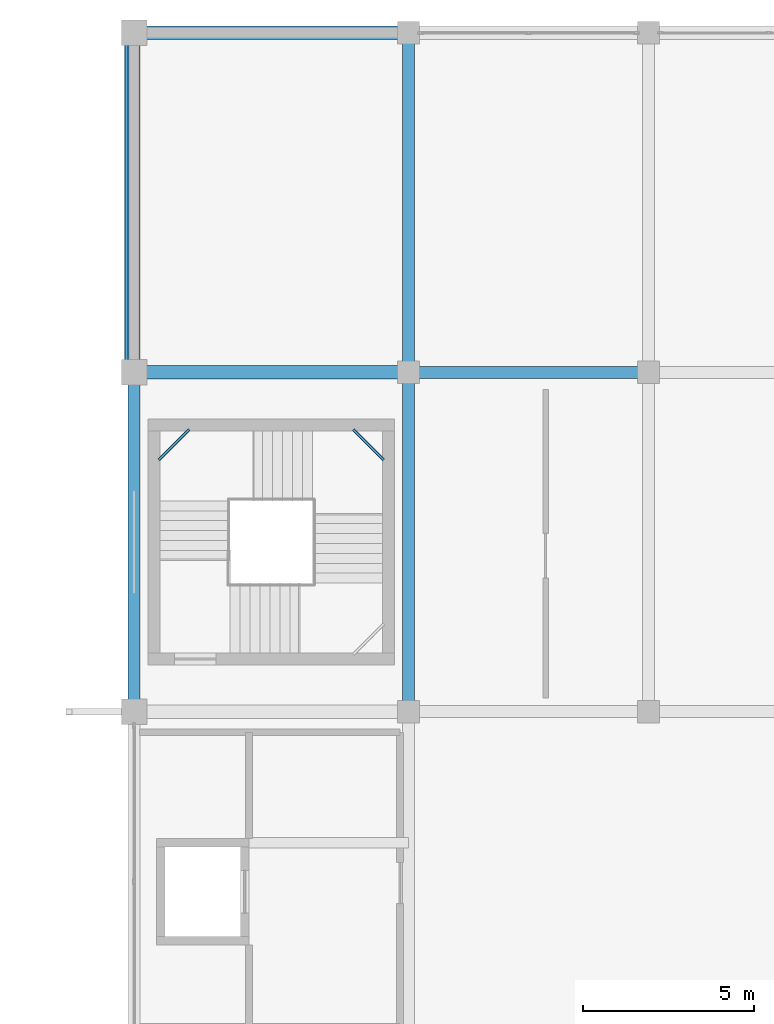
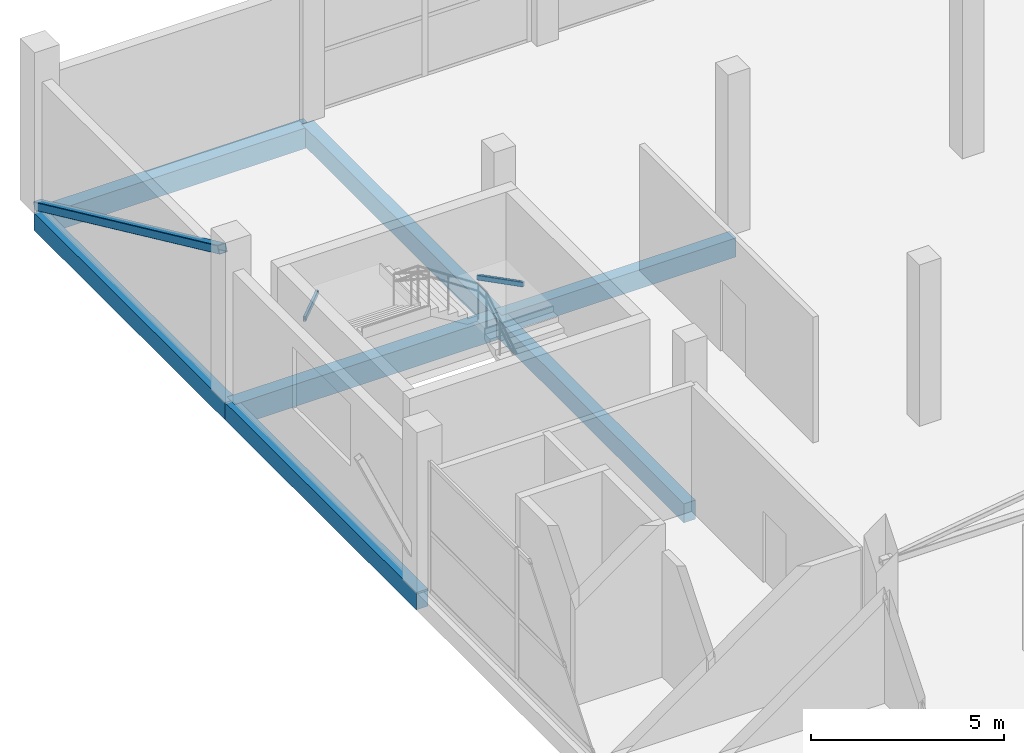
# One storey, part 40 of 67: 9 beams, 1 member.
"""IFC4 building model written with IfcOpenShell, lengths in metres."""

import ifcopenshell
import ifcopenshell.guid

model = None  # the IFC model being written
_history = None  # IfcOwnerHistory: only IFC2X3 demands one
_inside = {}  # id of a spatial element -> (the spatial element, [elements in it])
_under = {}  # id of a project, library or spatial element -> (it, [spatial elements below it])
_declared = {}  # id of a project -> (the project, [libraries it declares])
_typed = {}  # id of a type object -> (the type object, [elements of that type])
_made_of = {}  # id of a material, layer set ... -> (it, [elements and type objects made of it])


def new_model(schema):
    """Start an empty IFC model of exactly this schema.

    Asked for "IFC4X3", IfcOpenShell would pick the latest addendum, in which some entities
    have other attributes; the version numbers below select the first issue.
    IFC2X3 requires an IfcOwnerHistory on every rooted entity: one is made here for all.
    """
    global model, _history
    if schema == "IFC4X3":
        model = ifcopenshell.file(schema_version=(4, 3, 0, 0))
    else:
        model = ifcopenshell.file(schema=schema)
    _inside.clear()
    _under.clear()
    _declared.clear()
    _typed.clear()
    _made_of.clear()
    _history = None
    if model.schema == "IFC2X3":
        org = make("IfcOrganization", Name="unknown")
        user = make(
            "IfcPersonAndOrganization",
            ThePerson=make("IfcPerson", FamilyName="unknown"),
            TheOrganization=org,
        )
        app = make(
            "IfcApplication",
            ApplicationDeveloper=org,
            Version="unknown",
            ApplicationFullName="unknown",
            ApplicationIdentifier="unknown",
        )
        _history = make(
            "IfcOwnerHistory",
            OwningUser=user,
            OwningApplication=app,
            ChangeAction="ADDED",
            CreationDate=0,
        )
    return model


def make(cls, **values):
    """One entity of the class cls with the attributes given. An attribute that is None is left unset."""
    return model.create_entity(
        cls, **{name: value for name, value in values.items() if value is not None}
    )


def rooted(cls, **values):
    """An entity with a GlobalId (a new one), such as an element, a storey or a relation."""
    return make(cls, GlobalId=ifcopenshell.guid.new(), OwnerHistory=_history, **values)


def si_unit(unit_type, name, prefix=None):
    """IfcSIUnit, for example si_unit("LENGTHUNIT", "METRE", prefix="MILLI")."""
    return make("IfcSIUnit", UnitType=unit_type, Prefix=prefix, Name=name)


def assignment(units):
    """IfcUnitAssignment: the units of a project."""
    return None if units is None else make("IfcUnitAssignment", Units=units)


def point(xyz):
    """IfcCartesianPoint."""
    return None if xyz is None else make("IfcCartesianPoint", Coordinates=xyz)


def direction(xyz):
    """IfcDirection."""
    return None if xyz is None else make("IfcDirection", DirectionRatios=xyz)


def frame(location, z_axis=None, x_axis=None):
    """IfcAxis2Placement3D, a coordinate frame: its origin and axes. An axis left out is left unset."""
    return make(
        "IfcAxis2Placement3D",
        Location=point(location),
        Axis=direction(z_axis),
        RefDirection=direction(x_axis),
    )


def frame_2d(location, x_axis=None):
    """IfcAxis2Placement2D, a coordinate frame in the plane: its origin and x axis."""
    return make(
        "IfcAxis2Placement2D", Location=point(location), RefDirection=direction(x_axis)
    )


def origin():
    """The frame at (0, 0, 0) with its axes left unset."""
    return frame((0.0, 0.0, 0.0))


def origin_2d():
    """The frame at (0, 0) in the plane with its x axis left unset."""
    return frame_2d((0.0, 0.0))


def place(relative_to, where):
    """IfcLocalPlacement: puts the frame where relative to a parent placement (None: the world)."""
    return make(
        "IfcLocalPlacement", PlacementRelTo=relative_to, RelativePlacement=where
    )


def context(
    kind, dimensions, precision=None, world=None, true_north=None, identifier=None
):
    """IfcGeometricRepresentationContext, for example the 3D "Model" context."""
    return make(
        "IfcGeometricRepresentationContext",
        ContextIdentifier=identifier,
        ContextType=kind,
        CoordinateSpaceDimension=dimensions,
        Precision=precision,
        WorldCoordinateSystem=world,
        TrueNorth=true_north,
    )


def subcontext(parent, identifier, kind, view, scale=None):
    """IfcGeometricRepresentationSubContext, for example "Body" below "Model"."""
    return make(
        "IfcGeometricRepresentationSubContext",
        ContextIdentifier=identifier,
        ContextType=kind,
        ParentContext=parent,
        TargetScale=scale,
        TargetView=view,
    )


def project(units=None, contexts=None):
    """IfcProject with its units and contexts."""
    return rooted(
        "IfcProject",
        Name="project",
        RepresentationContexts=contexts,
        UnitsInContext=assignment(units),
    )


def spatial(cls, under=None, at=None, **own):
    """A site, building, storey or space (cls), placed at a placement, below another one or the project."""
    s = rooted(cls, ObjectPlacement=at, **own)
    if under is not None:
        _under.setdefault(under.id(), (under, []))[1].append(s)
    return s


def profile(cls, at=None, kind="AREA", **sizes):
    """A parametric profile (cls). Its sizes go by their IFC names, for example OverallWidth=200.0."""
    return make(cls, ProfileType=kind, Position=at, **sizes)


def rectangle(**sizes):
    """IfcRectangleProfileDef."""
    return profile("IfcRectangleProfileDef", **sizes)


def hollow_rectangle(**sizes):
    """IfcRectangleHollowProfileDef."""
    return profile("IfcRectangleHollowProfileDef", **sizes)


def extrude(swept, where, along, depth):
    """IfcExtrudedAreaSolid: the profile swept, set in the frame where, extruded along a direction by depth."""
    return make(
        "IfcExtrudedAreaSolid",
        SweptArea=swept,
        Position=where,
        ExtrudedDirection=direction(along),
        Depth=depth,
    )


def shape(context_of_items, identifier, shape_type, items):
    """IfcShapeRepresentation: the items that make up one representation, for example the "Body"."""
    return make(
        "IfcShapeRepresentation",
        ContextOfItems=context_of_items,
        RepresentationIdentifier=identifier,
        RepresentationType=shape_type,
        Items=items,
    )


def material(Name=None, Category=None):
    """IfcMaterial."""
    return make("IfcMaterial", Name=Name, Category=Category)


def material_profile(
    of_material, cross_section, Name=None, Category=None, Priority=None
):
    """IfcMaterialProfile: a cross section and its material."""
    return make(
        "IfcMaterialProfile",
        Name=Name,
        Material=of_material,
        Profile=cross_section,
        Priority=Priority,
        Category=Category,
    )


def profile_set(profiles, Name=None, composite=None):
    """IfcMaterialProfileSet."""
    return make(
        "IfcMaterialProfileSet",
        Name=Name,
        MaterialProfiles=profiles,
        CompositeProfile=composite,
    )


def made_of(thing, what):
    """Note that an element or type object is made of a material, layer set ...; save() writes the relation."""
    if what is not None:
        _made_of.setdefault(what.id(), (what, []))[1].append(thing)
    return thing


def type_object(cls, material=None, **own):
    """A type object (cls), such as IfcWallType, which elements share."""
    return made_of(rooted(cls, **own), material)


def element(
    cls,
    number,
    at=None,
    inside=None,
    cuts=None,
    type_object=None,
    material=None,
    context=None,
    identifier="Body",
    shape_type=None,
    held_by="IfcProductDefinitionShape",
    body=None,
    shapes=None,
    **own,
):
    """One element of the class cls, such as IfcWall. Its Tag is "e" and its number.

    at: its placement. inside: the storey or other place that contains it. cuts: it is an
    opening in that element (IfcRelVoidsElement). A single representation is given by context,
    identifier, shape_type and body (its items); several are given by shapes. held_by: the class
    of the entity that holds the representations. save() writes the other relations.
    """
    e = rooted(cls, Tag="e%d" % number, ObjectPlacement=at, **own)
    if body is not None:
        shapes = [shape(context, identifier, shape_type, body)]
    if shapes is not None:
        e.Representation = make(held_by, Representations=shapes)
    if inside is not None:
        _inside.setdefault(inside.id(), (inside, []))[1].append(e)
    if cuts is not None:
        rooted(
            "IfcRelVoidsElement", RelatingBuildingElement=cuts, RelatedOpeningElement=e
        )
    if type_object is not None:
        _typed.setdefault(type_object.id(), (type_object, []))[1].append(e)
    return made_of(e, material)


def aggregate(whole, parts):
    """IfcRelAggregates: a whole, such as a stair, and the parts it consists of."""
    return rooted("IfcRelAggregates", RelatingObject=whole, RelatedObjects=parts)


def save(model, path):
    """Write the relations noted so far, then the file.

    IfcRelAggregates (storeys below a building ...), IfcRelContainedInSpatialStructure (elements
    in a storey), IfcRelDefinesByType, IfcRelAssociatesMaterial and IfcRelDeclares: one each for
    every whole, place, type object, material and project.
    """
    for whole, parts in _under.values():
        aggregate(whole, parts)
    for where, things in _inside.values():
        rooted(
            "IfcRelContainedInSpatialStructure",
            RelatedElements=things,
            RelatingStructure=where,
        )
    for kind, things in _typed.values():
        rooted("IfcRelDefinesByType", RelatedObjects=things, RelatingType=kind)
    for what, things in _made_of.values():
        rooted("IfcRelAssociatesMaterial", RelatedObjects=things, RelatingMaterial=what)
    for by, libraries in _declared.values():
        rooted("IfcRelDeclares", RelatingContext=by, RelatedDefinitions=libraries)
    model.write(path)


model = new_model("IFC4")

# Units and contexts
model_context = context("Model", 3, precision=1e-05, world=origin(), true_north=direction((0.0, 1.0)))
body_context = subcontext(model_context, "Body", "Model", "MODEL_VIEW")
ifc_project = project(units=[si_unit("LENGTHUNIT", "METRE"), si_unit("AREAUNIT", "SQUARE_METRE"), si_unit("VOLUMEUNIT", "CUBIC_METRE"), si_unit("PLANEANGLEUNIT", "RADIAN"), si_unit("MASSUNIT", "GRAM", prefix="KILO")], contexts=[model_context])

# Site, building, storey
site_placement = place(None, origin())
site = spatial("IfcSite", under=ifc_project, at=site_placement, CompositionType="ELEMENT")
building_placement = place(site_placement, origin())
building = spatial("IfcBuilding", under=site, at=building_placement, Name="Sillaruma Civic Art Gallery", CompositionType="ELEMENT")
storey_placement = place(building_placement, frame((0.0, 0.0, 46.919921875)))
storey = spatial("IfcBuildingStorey", under=building, at=storey_placement, Name="L09", CompositionType="ELEMENT", Elevation=46.919921875)

# Beams
ifc_material_1 = material(Name="Concrete H35 (35 MPa)", Category="concrete")
ifc_material_profile_1 = material_profile(ifc_material_1, rectangle(XDim=0.35009765625, YDim=0.60009765625, at=origin_2d()), Name="RCB350x600")
ifc_profile_set_1 = profile_set([ifc_material_profile_1], Name="Concrete H35 (35 MPa)")
beam_type_1 = type_object("IfcBeamType", Name="BM-BEAM-RCB350x600", PredefinedType="BEAM", material=ifc_profile_set_1)
beam_1_placement = place(storey_placement, frame((70.0, 89.10009765625, -0.5498046875), z_axis=(1.0, 0.0, 0.0), x_axis=(0.0, 1.0, 0.0)))
element("IfcBeam", 1, at=beam_1_placement, inside=storey, type_object=beam_type_1, Name="Beam BM-06 (L08:10:G-H)", PredefinedType="BEAM", context=body_context, shape_type="SweptSolid", body=[
    extrude(rectangle(XDim=0.35009765625, YDim=0.60009765625, at=origin_2d()), origin(), (0.0, 0.0, 1.0), 7.0),
])
beam_2_placement = place(storey_placement, frame((70.0, 79.199951171875, -0.5498046875), z_axis=(0.0, 1.0, 0.0), x_axis=(-1.0, 0.0, 0.0)))
element("IfcBeam", 2, at=beam_2_placement, inside=storey, type_object=beam_type_1, Name="Beam BM-06 (L08:G:9-10)", PredefinedType="BEAM", context=body_context, shape_type="SweptSolid", body=[
    extrude(rectangle(XDim=0.35009765625, YDim=0.60009765625, at=origin_2d()), origin(), (0.0, 0.0, 1.0), 9.900146484375),
])
beam_3_placement = place(storey_placement, frame((70.0, 89.10009765625, -0.5498046875), z_axis=(0.0, 1.0, 0.0), x_axis=(-1.0, 0.0, 0.0)))
element("IfcBeam", 3, at=beam_3_placement, inside=storey, type_object=beam_type_1, Name="Beam BM-06 (L08:G:10-11)", PredefinedType="BEAM", context=body_context, shape_type="SweptSolid", body=[
    extrude(rectangle(XDim=0.35009765625, YDim=0.60009765625, at=origin_2d()), origin(), (0.0, 0.0, 1.0), 9.89990234375),
])
ifc_material_profile_2 = material_profile(ifc_material_1, rectangle(XDim=0.39990234375, YDim=0.699951171875, at=origin_2d()), Name="RCB400x700")
ifc_profile_set_2 = profile_set([ifc_material_profile_2], Name="Concrete H35 (35 MPa)")
beam_type_2 = type_object("IfcBeamType", Name="BM-BEAM-RCB400x700", PredefinedType="BEAM", material=ifc_profile_set_2)
beam_4_placement = place(storey_placement, frame((62.0, 89.10009765625, -0.599853515625), z_axis=(1.0, 0.0, 0.0), x_axis=(0.0, 1.0, 0.0)))
element("IfcBeam", 4, at=beam_4_placement, inside=storey, type_object=beam_type_2, Name="Beam BM-04 (L08:10:F-G)", PredefinedType="BEAM", context=body_context, shape_type="SweptSolid", body=[
    extrude(rectangle(XDim=0.39990234375, YDim=0.699951171875, at=origin_2d()), origin(), (0.0, 0.0, 1.0), 8.0),
])
ifc_material_2 = material(Name="Structural Steel ASTM A500 Gr.C", Category="steel")
ifc_material_profile_3 = material_profile(ifc_material_2, hollow_rectangle(XDim=0.080078125, YDim=0.159912109375, WallThickness=0.008056640625, InnerFilletRadius=0.008056640625, OuterFilletRadius=0.01611328125, at=origin_2d()), Name="HSS160x80x8")
ifc_profile_set_3 = profile_set([ifc_material_profile_3], Name="Structural Steel ASTM A500 Gr.C")
beam_type_3 = type_object("IfcBeamType", Name="BM-LND-HSS160", PredefinedType="BEAM", material=ifc_profile_set_3)
for number, where, z_axis, x_axis, name in (
    (5, (68.389892578125, 87.429931640625, 2.440185546875), (0.707203758046, -0.707009791025, 0.0), (0.707009791025, 0.707203758046, 0.0), "Stair Corner Landing Trimmer Beam (ST-02-L09-2)"),
    (6, (62.719970703125, 86.5400390625, 3.630126953125), (0.707203758046, 0.707009791025, 0.0), (-0.707009791025, 0.707203758046, 0.0), "Stair Corner Landing Trimmer Beam (ST-02-L09-3)"),
):
    element("IfcBeam", number, at=place(storey_placement, frame(where, z_axis=z_axis, x_axis=x_axis)), inside=storey, type_object=beam_type_3, Name=name, PredefinedType="BEAM", context=body_context, shape_type="SweptSolid", body=[
        extrude(hollow_rectangle(XDim=0.080078125, YDim=0.159912109375, WallThickness=0.008056640625, InnerFilletRadius=0.008056640625, OuterFilletRadius=0.01611328125, at=origin_2d()), origin(), (0.0, 0.0, 1.0), 1.2587890625),
    ])
ifc_material_profile_4 = material_profile(ifc_material_1, rectangle(XDim=0.35009765625, YDim=0.550048828125, at=origin_2d()), Name="RCB350x550")
ifc_profile_set_4 = profile_set([ifc_material_profile_4], Name="Concrete H35 (35 MPa)")
beam_type_4 = type_object("IfcBeamType", Name="BM-SPANDREL-RCB350x550", PredefinedType="SPANDREL", material=ifc_profile_set_4)
beam_5_placement = place(storey_placement, frame((62.0, 79.199951171875, -0.52490234375), z_axis=(0.0, 1.0, 0.0), x_axis=(-1.0, 0.0, 0.0)))
element("IfcBeam", 7, at=beam_5_placement, inside=storey, type_object=beam_type_4, Name="Beam BS-04 (L08:F:9-10)", PredefinedType="SPANDREL", context=body_context, shape_type="SweptSolid", body=[
    extrude(rectangle(XDim=0.35009765625, YDim=0.550048828125, at=origin_2d()), origin(), (0.0, 0.0, 1.0), 9.900146484375),
])
beam_6_placement = place(storey_placement, frame((62.0, 89.10009765625, -0.52490234375), z_axis=(0.0, 1.0, 0.0), x_axis=(-1.0, 0.0, 0.0)))
element("IfcBeam", 8, at=beam_6_placement, inside=storey, type_object=beam_type_4, Name="Beam BS-04 (L08:F:10-11)", PredefinedType="SPANDREL", context=body_context, shape_type="SweptSolid", body=[
    extrude(rectangle(XDim=0.35009765625, YDim=0.550048828125, at=origin_2d()), origin(), (0.0, 0.0, 1.0), 9.89990234375),
])
ifc_material_profile_5 = material_profile(ifc_material_1, rectangle(XDim=0.39990234375, YDim=0.64990234375, at=origin_2d()), Name="RCB400x650")
ifc_profile_set_5 = profile_set([ifc_material_profile_5], Name="Concrete H35 (35 MPa)")
beam_type_5 = type_object("IfcBeamType", Name="BM-SPANDREL-RCB400x650", PredefinedType="SPANDREL", material=ifc_profile_set_5)
beam_7_placement = place(storey_placement, frame((62.0, 99.0, -0.574951171875), z_axis=(1.0, 0.0, 0.0), x_axis=(0.0, 1.0, 0.0)))
element("IfcBeam", 9, at=beam_7_placement, inside=storey, type_object=beam_type_5, Name="Beam BS-02 (L08:11:F-G)", PredefinedType="SPANDREL", context=body_context, shape_type="SweptSolid", body=[
    extrude(rectangle(XDim=0.39990234375, YDim=0.64990234375, at=origin_2d()), origin(), (0.0, 0.0, 1.0), 8.0),
])

# Member
ifc_material_profile_6 = material_profile(ifc_material_2, hollow_rectangle(XDim=0.25, YDim=0.25, WallThickness=0.012451171875, InnerFilletRadius=0.012451171875, OuterFilletRadius=0.02490234375, at=origin_2d()), Name="HSS250x250x12.5")
ifc_profile_set_6 = profile_set([ifc_material_profile_6], Name="Structural Steel ASTM A500 Gr.C")
member_type = type_object("IfcMemberType", Name="MEM-MEGA-BRACE", PredefinedType="BRACE", material=ifc_profile_set_6)
member_placement = place(storey_placement, frame((61.85009765625, 98.820068359375, 0.10009765625), z_axis=(0.0, -0.908074976581, 0.418807637116), x_axis=(1.0, 0.0, 0.0)))
element("IfcMember", 10, at=member_placement, inside=storey, type_object=member_type, Name="Exterior Expressed Gallery Seismic Diagonal Brace (L09-WN)", PredefinedType="BRACE", context=body_context, shape_type="SweptSolid", body=[
    extrude(hollow_rectangle(XDim=0.25, YDim=0.25, WallThickness=0.012451171875, InnerFilletRadius=0.012451171875, OuterFilletRadius=0.02490234375, at=origin_2d()), origin(), (0.0, 0.0, 1.0), 10.505859375),
])

save(model, "model.ifc")
